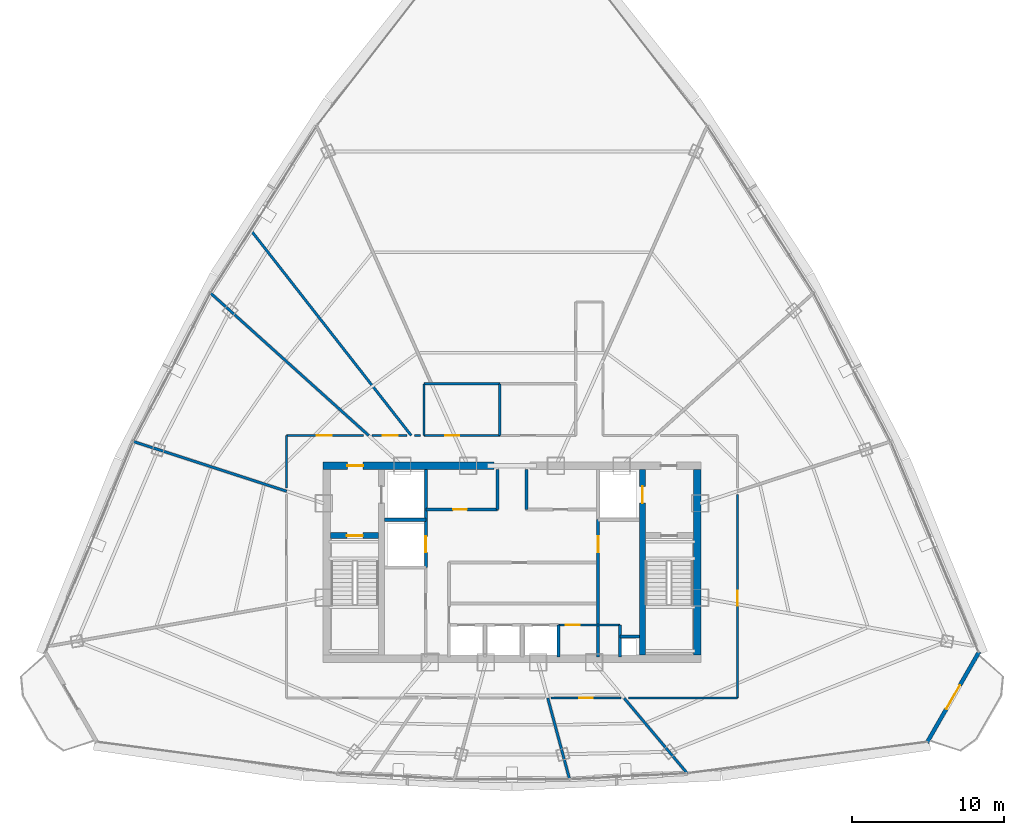
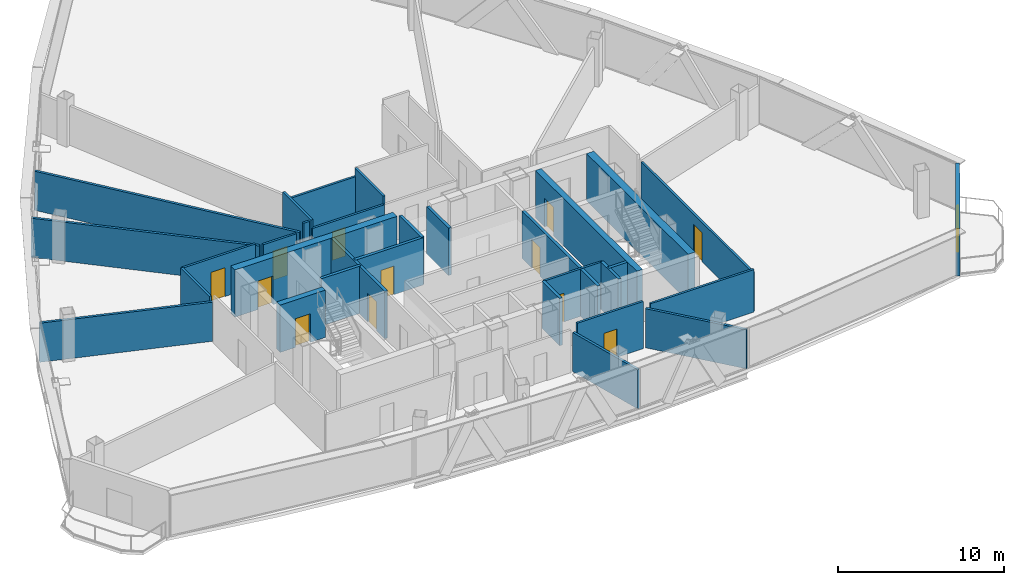
# One storey, part 29 of 33: 31 walls, 13 doors, 13 openings.
"""IFC4 building model written with IfcOpenShell, lengths in metres."""

from ifc_helpers import new_model, si_unit, direction, frame, frame_2d, origin, origin_with_axes, place, context, subcontext, project, spatial, rectangle, extrude, source, transform, mapped, material, layer, layer_set, type_object, element, fill, save


model = new_model("IFC4")

# Units and contexts
model_context = context("Model", 3, precision=1e-05, world=origin(), true_north=direction((0.0, 1.0)))
body_context = subcontext(model_context, "Body", "Model", "MODEL_VIEW")
ifc_project = project(units=[si_unit("LENGTHUNIT", "METRE"), si_unit("AREAUNIT", "SQUARE_METRE"), si_unit("VOLUMEUNIT", "CUBIC_METRE"), si_unit("PLANEANGLEUNIT", "RADIAN"), si_unit("MASSUNIT", "GRAM", prefix="KILO"), si_unit("THERMODYNAMICTEMPERATUREUNIT", "KELVIN"), si_unit("POWERUNIT", "WATT")], contexts=[model_context])

# Site, building, storey
site_placement = place(None, origin())
site = spatial("IfcSite", under=ifc_project, at=site_placement, CompositionType="ELEMENT")
building_placement = place(site_placement, origin())
building = spatial("IfcBuilding", under=site, at=building_placement, Name="Yunzhuo Pagoda Commons", CompositionType="ELEMENT")
storey_placement = place(building_placement, frame((0.0, 0.0, 307.39990234375)))
storey = spatial("IfcBuildingStorey", under=building, at=storey_placement, Name="L77", CompositionType="ELEMENT", Elevation=307.39990234375)

# Wall, opening, door
ifc_material_1 = material(Name="Precast concrete C40", Category="concrete")
ifc_layer_1 = layer(ifc_material_1, 0.260009765625)
ifc_layer_set_1 = layer_set([ifc_layer_1], Name="Precast concrete C40")
wall_type_1 = type_object("IfcWallType", Name="W-BAL1 Corner Balcony Threshold Wall 260", PredefinedType="STANDARD", material=ifc_layer_set_1)
wall_1_placement = place(storey_placement, frame((75.33935546875, 21.97021484375, 0.0), z_axis=(0.0, 0.0, 1.0), x_axis=(0.49793943781, 0.867211805889, 0.0)))
wall_1 = element("IfcWall", 1, at=wall_1_placement, inside=storey, type_object=wall_type_1, Name="L77 corner balcony wall V2", PredefinedType="STANDARD", context=body_context, shape_type="SweptSolid", body=[
    extrude(rectangle(XDim=6.903076171875, YDim=0.260009765625, at=frame_2d((3.45166015625, 0.0))), origin(), (0.0, 0.0, 1.0), 3.47021484375),
])
opening_1_placement = place(wall_1_placement, frame((2.551513671875, 0.0, 0.0)))
opening_1 = element("IfcOpeningElement", 2, at=opening_1_placement, cuts=wall_1, Name="Opening D-BAL1", PredefinedType="OPENING", context=body_context, shape_type="SweptSolid", body=[
    extrude(rectangle(XDim=1.800048828125, YDim=2.14990234375, at=frame_2d((0.89990234375, 1.074951171875))), frame((0.0, 0.14013671875, 0.0), z_axis=(0.0, -1.0, 0.0), x_axis=(1.0, 0.0, 0.0)), (0.0, 0.0, 1.0), 0.280029296875),
])
ifc_material_2 = material(Name="Anodized aluminium frame and tempered glazed leaf", Category="aluminium")
door_type_1 = type_object("IfcDoorType", Name="D-BAL1 Corner Balcony Sliding Glazed Door 1800x2150", OperationType="DOUBLE_DOOR_SLIDING", PredefinedType="DOOR", material=ifc_material_2)
shared_shape_1 = source(origin(), body_context, "Body", "SweptSolid", [
    extrude(rectangle(XDim=1.800048828125, YDim=2.14990234375, at=frame_2d((0.89990234375, 1.074951171875))), frame((0.0, 0.02490234375, 0.0), z_axis=(0.0, -1.0, 0.0), x_axis=(1.0, 0.0, 0.0)), (0.0, 0.0, 1.0), 0.050048828125),
])
door_1_placement = place(opening_1_placement, origin_with_axes())
door_1 = element("IfcDoor", 3, at=door_1_placement, inside=storey, type_object=door_type_1, Name="L77 corner balcony sliding door V2", OperationType="DOUBLE_DOOR_SLIDING", OverallHeight=2.14990234375, OverallWidth=1.800048828125, PredefinedType="DOOR", context=body_context, shape_type="MappedRepresentation", body=[
    mapped(shared_shape_1, transform((0.0, 0.0, 0.0), scale=1.0)),
])
fill(opening_1, door_1)

ifc_material_3 = material(Name="Concrete C50", Category="concrete")
ifc_layer_2 = layer(ifc_material_3, 0.5)
ifc_layer_set_2 = layer_set([ifc_layer_2], Name="Concrete C50")
wall_type_2 = type_object("IfcWallType", Name="W-C03 Upper Core Shear Wall 500", PredefinedType="SHEAR", material=ifc_layer_set_2)
wall_2_placement = place(storey_placement, frame((35.550048828125, 40.199951171875, 0.0), z_axis=(0.0, 0.0, 1.0), x_axis=(1.0, 0.0, 0.0)))
wall_2 = element("IfcWall", 4, at=wall_2_placement, inside=storey, type_object=wall_type_2, Name="L77 core shear wall NW", PredefinedType="SHEAR", context=body_context, shape_type="SweptSolid", body=[
    extrude(rectangle(XDim=11.25, YDim=0.5, at=frame_2d((5.625, 0.0))), origin(), (0.0, 0.0, 1.0), 3.47021484375),
])
opening_2_placement = place(wall_2_placement, frame((1.60009765625, 0.0, 0.0)))
opening_2 = element("IfcOpeningElement", 5, at=opening_2_placement, cuts=wall_2, Name="Opening D-02", PredefinedType="OPENING", context=body_context, shape_type="SweptSolid", body=[
    extrude(rectangle(XDim=1.050048828125, YDim=2.10009765625, at=frame_2d((0.52490234375, 1.050048828125))), frame((0.0, 0.260009765625, 0.0), z_axis=(0.0, -1.0, 0.0), x_axis=(1.0, 0.0, 0.0)), (0.0, 0.0, 1.0), 0.52001953125),
])
ifc_material_4 = material(Name="Galvanized fire-resisting metal leaf")
door_type_2 = type_object("IfcDoorType", Name="D-02 Firefighting Lobby & Refuge Fire Door 1050x2100", OperationType="NOTDEFINED", PredefinedType="DOOR", material=ifc_material_4)
shared_shape_2 = source(origin(), body_context, "Body", "SweptSolid", [
    extrude(rectangle(XDim=1.050048828125, YDim=2.10009765625, at=frame_2d((0.52490234375, 1.050048828125))), frame((0.0, 0.02490234375, 0.0), z_axis=(0.0, -1.0, 0.0), x_axis=(1.0, 0.0, 0.0)), (0.0, 0.0, 1.0), 0.050048828125),
])
door_2_placement = place(opening_2_placement, frame((1.050048828125, 0.0, 0.0), z_axis=(0.0, 0.0, 1.0), x_axis=(-1.0, 0.0, 0.0)))
door_2 = element("IfcDoor", 6, at=door_2_placement, inside=storey, type_object=door_type_2, Name="L77 Firefighting Lobby 1 fire door", OperationType="SINGLE_SWING_LEFT", OverallHeight=2.10009765625, OverallWidth=1.050048828125, PredefinedType="DOOR", context=body_context, shape_type="MappedRepresentation", body=[
    mapped(shared_shape_2, transform((0.0, 0.0, 0.0), scale=1.0)),
])
fill(opening_2, door_2)

# Wall
wall_3_placement = place(storey_placement, frame((60.199951171875, 27.75, 0.0), z_axis=(0.0, 0.0, 1.0), x_axis=(0.0, 1.0, 0.0)))
element("IfcWall", 7, at=wall_3_placement, inside=storey, type_object=wall_type_2, Name="L77 core shear wall E", PredefinedType="SHEAR", context=body_context, shape_type="SweptSolid", body=[
    extrude(rectangle(XDim=12.199951171875, YDim=0.5, at=frame_2d((6.10009765625, 0.0))), origin(), (0.0, 0.0, 1.0), 3.47021484375),
])

# Wall, opening, door
ifc_material_5 = material(Name="Gypsum plasterboard on acoustic stud")
ifc_layer_3 = layer(ifc_material_5, 0.14990234375)
ifc_layer_set_3 = layer_set([ifc_layer_3], Name="Gypsum plasterboard on acoustic stud")
wall_type_3 = type_object("IfcWallType", Name="W-COR3 High-Zone Rated Corridor Wall 150", PredefinedType="PARTITIONING", material=ifc_layer_set_3)
wall_4_placement = place(storey_placement, frame((51.050048828125, 29.719970703125, 0.0), z_axis=(0.0, 0.0, 1.0), x_axis=(1.0, 0.0, 0.0)))
wall_4 = element("IfcWall", 8, at=wall_4_placement, inside=storey, type_object=wall_type_3, Name="L77 interior wall IW-L77-CSES", PredefinedType="PARTITIONING", context=body_context, shape_type="SweptSolid", body=[
    extrude(rectangle(XDim=4.070068359375, YDim=0.14990234375, at=frame_2d((2.03515625, 0.0))), origin(), (0.0, 0.0, 1.0), 3.47021484375),
])
opening_3_placement = place(wall_4_placement, frame((0.5, 0.0, 0.0)))
opening_3 = element("IfcOpeningElement", 9, at=opening_3_placement, cuts=wall_4, Name="Opening D-03", PredefinedType="OPENING", context=body_context, shape_type="SweptSolid", body=[
    extrude(rectangle(XDim=0.89990234375, YDim=2.10009765625, at=frame_2d((0.449951171875, 1.050048828125))), frame((0.0, 0.0849609375, 0.0), z_axis=(0.0, -1.0, 0.0), x_axis=(1.0, 0.0, 0.0)), (0.0, 0.0, 1.0), 0.169921875),
])
door_type_3 = type_object("IfcDoorType", Name="D-03 Core Service Fire Door 900x2100", OperationType="NOTDEFINED", PredefinedType="DOOR", material=ifc_material_4)
shared_shape_3 = source(origin(), body_context, "Body", "SweptSolid", [
    extrude(rectangle(XDim=0.89990234375, YDim=2.10009765625, at=frame_2d((0.449951171875, 1.050048828125))), frame((0.0, 0.02490234375, 0.0), z_axis=(0.0, -1.0, 0.0), x_axis=(1.0, 0.0, 0.0)), (0.0, 0.0, 1.0), 0.050048828125),
])
door_3_placement = place(opening_3_placement, origin_with_axes())
door_3 = element("IfcDoor", 10, at=door_3_placement, inside=storey, type_object=door_type_3, Name="L77 cleaner store door", OperationType="SINGLE_SWING_LEFT", OverallHeight=2.10009765625, OverallWidth=0.89990234375, PredefinedType="DOOR", context=body_context, shape_type="MappedRepresentation", body=[
    mapped(shared_shape_3, transform((0.0, 0.0, 0.0), scale=1.0)),
])
fill(opening_3, door_3)

wall_5_placement = place(storey_placement, frame((42.199951171875, 42.199951171875, 0.0), z_axis=(0.0, 0.0, 1.0), x_axis=(1.0, 0.0, 0.0)))
wall_5 = element("IfcWall", 11, at=wall_5_placement, inside=storey, type_object=wall_type_3, Name="L77 interior wall IW-L77-TFWS", PredefinedType="PARTITIONING", context=body_context, shape_type="SweptSolid", body=[
    extrude(rectangle(XDim=5.0, YDim=0.14990234375, at=frame_2d((2.5, 0.0))), origin(), (0.0, 0.0, 1.0), 2.8701171875),
])
opening_4_placement = place(wall_5_placement, frame((1.39990234375, 0.0, 0.0)))
opening_4 = element("IfcOpeningElement", 12, at=opening_4_placement, cuts=wall_5, Name="Opening D-04", PredefinedType="OPENING", context=body_context, shape_type="SweptSolid", body=[
    extrude(rectangle(XDim=0.919921875, YDim=2.10009765625, at=frame_2d((0.4599609375, 1.050048828125))), frame((0.0, 0.0849609375, 0.0), z_axis=(0.0, -1.0, 0.0), x_axis=(1.0, 0.0, 0.0)), (0.0, 0.0, 1.0), 0.169921875),
])
ifc_material_6 = material(Name="Powder-coated aluminium and timber acoustic leaf", Category="wood")
door_type_4 = type_object("IfcDoorType", Name="D-04 Bedroom & Study Interior Door 920x2100", OperationType="NOTDEFINED", PredefinedType="DOOR", material=ifc_material_6)
shared_shape_4 = source(origin(), body_context, "Body", "SweptSolid", [
    extrude(rectangle(XDim=0.919921875, YDim=2.10009765625, at=frame_2d((0.4599609375, 1.050048828125))), frame((0.0, 0.02490234375, 0.0), z_axis=(0.0, -1.0, 0.0), x_axis=(1.0, 0.0, 0.0)), (0.0, 0.0, 1.0), 0.050048828125),
])
door_4_placement = place(opening_4_placement, frame((0.919921875, 0.0, 0.0), z_axis=(0.0, 0.0, 1.0), x_axis=(-1.0, 0.0, 0.0)))
door_4 = element("IfcDoor", 13, at=door_4_placement, inside=storey, type_object=door_type_4, Name="L77 laundry door", OperationType="SINGLE_SWING_LEFT", OverallHeight=2.10009765625, OverallWidth=0.919921875, PredefinedType="DOOR", context=body_context, shape_type="MappedRepresentation", body=[
    mapped(shared_shape_4, transform((0.0, 0.0, 0.0), scale=1.0)),
])
fill(opening_4, door_4)

# Walls
wall_6_placement = place(storey_placement, frame((42.199951171875, 45.60009765625, 0.0), z_axis=(0.0, 0.0, 1.0), x_axis=(1.0, 0.0, 0.0)))
element("IfcWall", 14, at=wall_6_placement, inside=storey, type_object=wall_type_3, Name="L77 interior wall IW-L77-TFWN", PredefinedType="PARTITIONING", context=body_context, shape_type="SweptSolid", body=[
    extrude(rectangle(XDim=5.0, YDim=0.14990234375, at=frame_2d((2.5, 0.0))), origin(), (0.0, 0.0, 1.0), 2.8701171875),
])
for number, where, z_axis, x_axis, name in (
    (15, (42.199951171875, 42.199951171875, 0.0), (0.0, 0.0, 1.0), (0.0, 1.0, 0.0), "L77 interior wall IW-L77-TFWW"),
    (16, (47.199951171875, 42.199951171875, 0.0), (0.0, 0.0, 1.0), (0.0, 1.0, 0.0), "L77 interior wall IW-L77-TFEW"),
):
    element("IfcWall", number, at=place(storey_placement, frame(where, z_axis=z_axis, x_axis=x_axis)), inside=storey, type_object=wall_type_3, Name=name, PredefinedType="PARTITIONING", context=body_context, shape_type="SweptSolid", body=[
        extrude(rectangle(XDim=3.400146484375, YDim=0.14990234375, at=frame_2d((1.7001953125, 0.0))), origin(), (0.0, 0.0, 1.0), 3.47021484375),
    ])
wall_7_placement = place(storey_placement, frame((33.14990234375, 38.75634765625, 0.0), z_axis=(0.0, 0.0, 1.0), x_axis=(0.0, 1.0, 0.0)))
element("IfcWall", 17, at=wall_7_placement, inside=storey, type_object=wall_type_3, Name="L77 interior wall IW-L77-CWL03", PredefinedType="PARTITIONING", context=body_context, shape_type="SweptSolid", body=[
    extrude(rectangle(XDim=3.443603515625, YDim=0.14990234375, at=frame_2d((1.7216796875, 0.0))), origin(), (0.0, 0.0, 1.0), 3.1201171875),
])

# Wall, opening, door
wall_8_placement = place(storey_placement, frame((33.14990234375, 42.199951171875, 0.0), z_axis=(0.0, 0.0, 1.0), x_axis=(1.0, 0.0, 0.0)))
wall_8 = element("IfcWall", 18, at=wall_8_placement, inside=storey, type_object=wall_type_3, Name="L77 interior wall IW-L77-CWL04", PredefinedType="PARTITIONING", context=body_context, shape_type="SweptSolid", body=[
    extrude(rectangle(XDim=5.0810546875, YDim=0.14990234375, at=frame_2d((2.54052734375, 0.0))), origin(), (0.0, 0.0, 1.0), 3.1201171875),
])
opening_5_placement = place(wall_8_placement, frame((2.0, 0.0, 0.0)))
opening_5 = element("IfcOpeningElement", 19, at=opening_5_placement, cuts=wall_8, Name="Opening D-08", PredefinedType="OPENING", context=body_context, shape_type="SweptSolid", body=[
    extrude(rectangle(XDim=0.97998046875, YDim=2.1201171875, at=frame_2d((0.489990234375, 1.06005859375))), frame((0.0, 0.0849609375, 0.0), z_axis=(0.0, -1.0, 0.0), x_axis=(1.0, 0.0, 0.0)), (0.0, 0.0, 1.0), 0.169921875),
])
door_type_5 = type_object("IfcDoorType", Name="D-08 High-Zone Suite Entrance Fire Door 980x2120", OperationType="NOTDEFINED", PredefinedType="DOOR", material=ifc_material_4)
shared_shape_5 = source(origin(), body_context, "Body", "SweptSolid", [
    extrude(rectangle(XDim=0.97998046875, YDim=2.1201171875, at=frame_2d((0.489990234375, 1.06005859375))), frame((0.0, 0.02490234375, 0.0), z_axis=(0.0, -1.0, 0.0), x_axis=(1.0, 0.0, 0.0)), (0.0, 0.0, 1.0), 0.050048828125),
])
door_5_placement = place(opening_5_placement, origin_with_axes())
door_5 = element("IfcDoor", 20, at=door_5_placement, inside=storey, type_object=door_type_5, Name="L77 unit 06 entrance door", OperationType="SINGLE_SWING_RIGHT", OverallHeight=2.1201171875, OverallWidth=0.97998046875, PredefinedType="DOOR", context=body_context, shape_type="MappedRepresentation", body=[
    mapped(shared_shape_5, transform((0.0, 0.0, 0.0), scale=1.0)),
])
fill(opening_5, door_5)

wall_9_placement = place(storey_placement, frame((38.779541015625, 42.199951171875, 0.0), z_axis=(0.0, 0.0, 1.0), x_axis=(1.0, 0.0, 0.0)))
wall_9 = element("IfcWall", 21, at=wall_9_placement, inside=storey, type_object=wall_type_3, Name="L77 interior wall IW-L77-CWL05", PredefinedType="PARTITIONING", context=body_context, shape_type="SweptSolid", body=[
    extrude(rectangle(XDim=2.30029296875, YDim=0.14990234375, at=frame_2d((1.150146484375, 0.0))), origin(), (0.0, 0.0, 1.0), 2.8701171875),
])
opening_6_placement = place(wall_9_placement, frame((0.705078125, 0.0, 0.0)))
opening_6 = element("IfcOpeningElement", 22, at=opening_6_placement, cuts=wall_9, Name="Opening D-08", PredefinedType="OPENING", context=body_context, shape_type="SweptSolid", body=[
    extrude(rectangle(XDim=0.97998046875, YDim=2.1201171875, at=frame_2d((0.489990234375, 1.06005859375))), frame((0.0, 0.0849609375, 0.0), z_axis=(0.0, -1.0, 0.0), x_axis=(1.0, 0.0, 0.0)), (0.0, 0.0, 1.0), 0.169921875),
])
door_6_placement = place(opening_6_placement, origin_with_axes())
door_6 = element("IfcDoor", 23, at=door_6_placement, inside=storey, type_object=door_type_5, Name="L77 unit 05 entrance door", OperationType="SINGLE_SWING_LEFT", OverallHeight=2.1201171875, OverallWidth=0.97998046875, PredefinedType="DOOR", context=body_context, shape_type="MappedRepresentation", body=[
    mapped(shared_shape_5, transform((0.0, 0.0, 0.0), scale=1.0)),
])
fill(opening_6, door_6)

# Wall
wall_10_placement = place(storey_placement, frame((41.578857421875, 42.199951171875, 0.0), z_axis=(0.0, 0.0, 1.0), x_axis=(1.0, 0.0, 0.0)))
element("IfcWall", 24, at=wall_10_placement, inside=storey, type_object=wall_type_3, Name="L77 interior wall IW-L77-CWL06", PredefinedType="PARTITIONING", context=body_context, shape_type="SweptSolid", body=[
    extrude(rectangle(XDim=0.401123046875, YDim=0.14990234375, at=frame_2d((0.20068359375, 0.0))), origin(), (0.0, 0.0, 1.0), 3.47021484375),
])

# Wall, opening, door
wall_11_placement = place(storey_placement, frame((62.85009765625, 38.305419921875, 0.0), z_axis=(0.0, 0.0, 1.0), x_axis=(0.0, -1.0, 0.0)))
wall_11 = element("IfcWall", 25, at=wall_11_placement, inside=storey, type_object=wall_type_3, Name="L77 interior wall IW-L77-CWL14", PredefinedType="PARTITIONING", context=body_context, shape_type="SweptSolid", body=[
    extrude(rectangle(XDim=13.405517578125, YDim=0.14990234375, at=frame_2d((6.70263671875, 0.0))), origin(), (0.0, 0.0, 1.0), 2.8701171875),
])
opening_7_placement = place(wall_11_placement, frame((6.347900390625, 0.0, 0.0)))
opening_7 = element("IfcOpeningElement", 26, at=opening_7_placement, cuts=wall_11, Name="Opening D-08", PredefinedType="OPENING", context=body_context, shape_type="SweptSolid", body=[
    extrude(rectangle(XDim=0.97998046875, YDim=2.1201171875, at=frame_2d((0.489990234375, 1.06005859375))), frame((0.0, 0.0849609375, 0.0), z_axis=(0.0, -1.0, 0.0), x_axis=(1.0, 0.0, 0.0)), (0.0, 0.0, 1.0), 0.169921875),
])
door_7_placement = place(opening_7_placement, origin_with_axes())
door_7 = element("IfcDoor", 27, at=door_7_placement, inside=storey, type_object=door_type_5, Name="L77 Resident Co-Living Commons Hall door", OperationType="SINGLE_SWING_RIGHT", OverallHeight=2.1201171875, OverallWidth=0.97998046875, PredefinedType="DOOR", context=body_context, shape_type="MappedRepresentation", body=[
    mapped(shared_shape_5, transform((0.0, 0.0, 0.0), scale=1.0)),
])
fill(opening_7, door_7)

# Wall
wall_12_placement = place(storey_placement, frame((62.85009765625, 24.89990234375, 0.0), z_axis=(0.0, 0.0, 1.0), x_axis=(-1.0, 0.0, 0.0)))
element("IfcWall", 28, at=wall_12_placement, inside=storey, type_object=wall_type_3, Name="L77 interior wall IW-L77-CWL15", PredefinedType="PARTITIONING", context=body_context, shape_type="SweptSolid", body=[
    extrude(rectangle(XDim=7.1787109375, YDim=0.14990234375, at=frame_2d((3.58935546875, 0.0))), origin(), (0.0, 0.0, 1.0), 3.1201171875),
])

# Wall, opening, door
wall_13_placement = place(storey_placement, frame((55.164306640625, 24.89990234375, 0.0), z_axis=(0.0, 0.0, 1.0), x_axis=(-1.0, 0.0, 0.0)))
wall_13 = element("IfcWall", 29, at=wall_13_placement, inside=storey, type_object=wall_type_3, Name="L77 interior wall IW-L77-CWL16", PredefinedType="PARTITIONING", context=body_context, shape_type="SweptSolid", body=[
    extrude(rectangle(XDim=4.57861328125, YDim=0.14990234375, at=frame_2d((2.289306640625, 0.0))), origin(), (0.0, 0.0, 1.0), 3.47021484375),
])
opening_8_placement = place(wall_13_placement, frame((1.833251953125, 0.0, 0.0)))
opening_8 = element("IfcOpeningElement", 30, at=opening_8_placement, cuts=wall_13, Name="Opening D-12", PredefinedType="OPENING", context=body_context, shape_type="SweptSolid", body=[
    extrude(rectangle(XDim=0.89990234375, YDim=2.080078125, at=frame_2d((0.449951171875, 1.0400390625))), frame((0.0, 0.0849609375, 0.0), z_axis=(0.0, -1.0, 0.0), x_axis=(1.0, 0.0, 0.0)), (0.0, 0.0, 1.0), 0.169921875),
])
door_type_6 = type_object("IfcDoorType", Name="D-12 Quiet Study Interior Door 900x2080", OperationType="NOTDEFINED", PredefinedType="DOOR", material=ifc_material_6)
shared_shape_6 = source(origin(), body_context, "Body", "SweptSolid", [
    extrude(rectangle(XDim=0.89990234375, YDim=2.080078125, at=frame_2d((0.449951171875, 1.0400390625))), frame((0.0, 0.02490234375, 0.0), z_axis=(0.0, -1.0, 0.0), x_axis=(1.0, 0.0, 0.0)), (0.0, 0.0, 1.0), 0.050048828125),
])
door_8_placement = place(opening_8_placement, origin_with_axes())
door_8 = element("IfcDoor", 31, at=door_8_placement, inside=storey, type_object=door_type_6, Name="L77 study lounge 11 door", OperationType="SINGLE_SWING_LEFT", OverallHeight=2.080078125, OverallWidth=0.89990234375, PredefinedType="DOOR", context=body_context, shape_type="MappedRepresentation", body=[
    mapped(shared_shape_6, transform((0.0, 0.0, 0.0), scale=1.0)),
])
fill(opening_8, door_8)

# Walls
ifc_layer_4 = layer(ifc_material_5, 0.169921875)
ifc_layer_set_4 = layer_set([ifc_layer_4], Name="Gypsum plasterboard on acoustic stud")
wall_type_4 = type_object("IfcWallType", Name="W-PRT4 High-Zone Demising Wall 170", PredefinedType="PARTITIONING", material=ifc_layer_set_4)
wall_14_placement = place(storey_placement, frame((41.359130859375, 42.199951171875, 0.0), z_axis=(0.0, 0.0, 1.0), x_axis=(-0.615656448173, 0.788014681223, 0.0)))
element("IfcWall", 32, at=wall_14_placement, inside=storey, type_object=wall_type_4, Name="L77 interior wall IW-L77-RAD05", PredefinedType="PARTITIONING", context=body_context, shape_type="SweptSolid", body=[
    extrude(rectangle(XDim=17.1845703125, YDim=0.169921875, at=frame_2d((8.59228515625, 0.0))), origin(), (0.0, 0.0, 1.0), 2.8701171875),
])
wall_15_placement = place(storey_placement, frame((38.559814453125, 42.199951171875, 0.0), z_axis=(0.0, 0.0, 1.0), x_axis=(-0.74314439151, 0.669131088329, 0.0)))
element("IfcWall", 33, at=wall_15_placement, inside=storey, type_object=wall_type_4, Name="L77 interior wall IW-L77-RAD06", PredefinedType="PARTITIONING", context=body_context, shape_type="SweptSolid", body=[
    extrude(rectangle(XDim=14.025634765625, YDim=0.169921875, at=frame_2d((7.0126953125, 0.0))), origin(), (0.0, 0.0, 1.0), 2.8701171875),
])
wall_16_placement = place(storey_placement, frame((33.14990234375, 38.525146484375, 0.0), z_axis=(0.0, 0.0, 1.0), x_axis=(-0.951060589798, 0.309004457141, 0.0)))
element("IfcWall", 34, at=wall_16_placement, inside=storey, type_object=wall_type_4, Name="L77 interior wall IW-L77-RAD07", PredefinedType="PARTITIONING", context=body_context, shape_type="SweptSolid", body=[
    extrude(rectangle(XDim=10.61962890625, YDim=0.169921875, at=frame_2d((5.309814453125, 0.0))), origin(), (0.0, 0.0, 1.0), 2.8701171875),
])
wall_17_placement = place(storey_placement, frame((50.35791015625, 24.89990234375, 0.0), z_axis=(0.0, 0.0, 1.0), x_axis=(0.258813875707, -0.96592721141, 0.0)))
element("IfcWall", 35, at=wall_17_placement, inside=storey, type_object=wall_type_4, Name="L77 interior wall IW-L77-RAD11", PredefinedType="PARTITIONING", context=body_context, shape_type="SweptSolid", body=[
    extrude(rectangle(XDim=5.54296875, YDim=0.169921875, at=frame_2d((2.771484375, 0.0))), origin(), (0.0, 0.0, 1.0), 2.8701171875),
])
wall_18_placement = place(storey_placement, frame((55.384033203125, 24.89990234375, 0.0), z_axis=(0.0, 0.0, 1.0), x_axis=(0.642794522615, -0.76603864243, 0.0)))
element("IfcWall", 36, at=wall_18_placement, inside=storey, type_object=wall_type_4, Name="L77 interior wall IW-L77-RAD12", PredefinedType="PARTITIONING", context=body_context, shape_type="SweptSolid", body=[
    extrude(rectangle(XDim=6.4677734375, YDim=0.169921875, at=frame_2d((3.23388671875, 0.0))), origin(), (0.0, 0.0, 1.0), 2.8701171875),
])

# Wall, opening, door
ifc_material_7 = material(Name="Concrete C60", Category="concrete")
ifc_layer_5 = layer(ifc_material_7, 0.39990234375)
ifc_layer_set_5 = layer_set([ifc_layer_5], Name="Concrete C60")
wall_type_5 = type_object("IfcWallType", Name="W-S01 Internal Core Shear Web 400", PredefinedType="SHEAR", material=ifc_layer_set_5)
wall_19_placement = place(storey_placement, frame((56.60009765625, 27.75, 0.0), z_axis=(0.0, 0.0, 1.0), x_axis=(0.0, 1.0, 0.0)))
wall_19 = element("IfcWall", 37, at=wall_19_placement, inside=storey, type_object=wall_type_5, Name="L77 core shear wall WEBE", PredefinedType="SHEAR", context=body_context, shape_type="SweptSolid", body=[
    extrude(rectangle(XDim=12.199951171875, YDim=0.39990234375, at=frame_2d((6.10009765625, 0.0))), origin(), (0.0, 0.0, 1.0), 3.47021484375),
])
opening_9_placement = place(wall_19_placement, frame((10.0, 0.0, 0.0)))
opening_9 = element("IfcOpeningElement", 38, at=opening_9_placement, cuts=wall_19, Name="Opening LD-01", PredefinedType="OPENING", context=body_context, shape_type="SweptSolid", body=[
    extrude(rectangle(XDim=1.10009765625, YDim=2.10009765625, at=frame_2d((0.550048828125, 1.050048828125))), frame((0.0, 0.2099609375, 0.0), z_axis=(0.0, -1.0, 0.0), x_axis=(1.0, 0.0, 0.0)), (0.0, 0.0, 1.0), 0.419921875),
])
door_type_7 = type_object("IfcDoorType", Name="LD-01 Firefighting Lift Landing Door 1100x2100", OperationType="DOUBLE_DOOR_SLIDING", PredefinedType="DOOR", material=ifc_material_4)
shared_shape_7 = source(origin(), body_context, "Body", "SweptSolid", [
    extrude(rectangle(XDim=1.10009765625, YDim=2.10009765625, at=frame_2d((0.550048828125, 1.050048828125))), frame((0.0, 0.02490234375, 0.0), z_axis=(0.0, -1.0, 0.0), x_axis=(1.0, 0.0, 0.0)), (0.0, 0.0, 1.0), 0.050048828125),
])
door_9_placement = place(opening_9_placement, origin_with_axes())
door_9 = element("IfcDoor", 39, at=door_9_placement, inside=storey, type_object=door_type_7, Name="L77 Firefighting lift FL-2 landing door", OperationType="DOUBLE_DOOR_SLIDING", OverallHeight=2.10009765625, OverallWidth=1.10009765625, PredefinedType="DOOR", context=body_context, shape_type="MappedRepresentation", body=[
    mapped(shared_shape_7, transform((0.0, 0.0, 0.0), scale=1.0)),
])
fill(opening_9, door_9)

wall_20_placement = place(storey_placement, frame((36.050048828125, 35.60009765625, 0.0), z_axis=(0.0, 0.0, 1.0), x_axis=(1.0, 0.0, 0.0)))
wall_20 = element("IfcWall", 40, at=wall_20_placement, inside=storey, type_object=wall_type_5, Name="L77 core shear wall STW", PredefinedType="SHEAR", context=body_context, shape_type="SweptSolid", body=[
    extrude(rectangle(XDim=3.14990234375, YDim=0.39990234375, at=frame_2d((1.574951171875, 0.0))), origin(), (0.0, 0.0, 1.0), 3.47021484375),
])
opening_10_placement = place(wall_20_placement, frame((1.070068359375, 0.0, 0.0)))
opening_10 = element("IfcOpeningElement", 41, at=opening_10_placement, cuts=wall_20, Name="Opening D-01", PredefinedType="OPENING", context=body_context, shape_type="SweptSolid", body=[
    extrude(rectangle(XDim=1.050048828125, YDim=2.10009765625, at=frame_2d((0.52490234375, 1.050048828125))), frame((0.0, 0.2099609375, 0.0), z_axis=(0.0, -1.0, 0.0), x_axis=(1.0, 0.0, 0.0)), (0.0, 0.0, 1.0), 0.419921875),
])
door_type_8 = type_object("IfcDoorType", Name="D-01 Smokeproof Stair Fire Door 1050x2100", OperationType="NOTDEFINED", PredefinedType="DOOR", material=ifc_material_4)
door_10_placement = place(opening_10_placement, frame((1.050048828125, 0.0, 0.0), z_axis=(0.0, 0.0, 1.0), x_axis=(-1.0, 0.0, 0.0)))
door_10 = element("IfcDoor", 42, at=door_10_placement, inside=storey, type_object=door_type_8, Name="L77 Stair ST1 fire door", OperationType="SINGLE_SWING_LEFT", OverallHeight=2.10009765625, OverallWidth=1.050048828125, PredefinedType="DOOR", context=body_context, shape_type="MappedRepresentation", body=[
    mapped(shared_shape_2, transform((0.0, 0.0, 0.0), scale=1.0)),
])
fill(opening_10, door_10)

ifc_material_8 = material(Name="Concrete C40", Category="concrete")
ifc_layer_6 = layer(ifc_material_8, 0.199951171875)
ifc_layer_set_6 = layer_set([ifc_layer_6], Name="Concrete C40")
wall_type_6 = type_object("IfcWallType", Name="W-SHF Shaft & Stair Enclosure Wall 200", PredefinedType="SOLIDWALL", material=ifc_layer_set_6)
wall_21_placement = place(storey_placement, frame((42.320068359375, 33.5, 0.0), z_axis=(0.0, 0.0, 1.0), x_axis=(0.0, 1.0, 0.0)))
wall_21 = element("IfcWall", 43, at=wall_21_placement, inside=storey, type_object=wall_type_6, Name="L77 interior wall IW-L77-FL1E", PredefinedType="SOLIDWALL", context=body_context, shape_type="SweptSolid", body=[
    extrude(rectangle(XDim=6.449951171875, YDim=0.199951171875, at=frame_2d((3.22509765625, 0.0))), origin(), (0.0, 0.0, 1.0), 3.47021484375),
])
opening_11_placement = place(wall_21_placement, frame((1.0, 0.0, 0.0)))
opening_11 = element("IfcOpeningElement", 44, at=opening_11_placement, cuts=wall_21, Name="Opening LD-02", PredefinedType="OPENING", context=body_context, shape_type="SweptSolid", body=[
    extrude(rectangle(XDim=1.050048828125, YDim=2.10009765625, at=frame_2d((0.52490234375, 1.050048828125))), frame((0.0, 0.10986328125, 0.0), z_axis=(0.0, -1.0, 0.0), x_axis=(1.0, 0.0, 0.0)), (0.0, 0.0, 1.0), 0.219970703125),
])
door_type_9 = type_object("IfcDoorType", Name="LD-02 Passenger Lift Landing Door 1050x2100", OperationType="DOUBLE_DOOR_SLIDING", PredefinedType="DOOR", material=ifc_material_4)
door_11_placement = place(opening_11_placement, origin_with_axes())
door_11 = element("IfcDoor", 45, at=door_11_placement, inside=storey, type_object=door_type_9, Name="L77 Service lift SL-1 landing door", OperationType="DOUBLE_DOOR_SLIDING", OverallHeight=2.10009765625, OverallWidth=1.050048828125, PredefinedType="DOOR", context=body_context, shape_type="MappedRepresentation", body=[
    mapped(shared_shape_2, transform((0.0, 0.0, 0.0), scale=1.0)),
])
fill(opening_11, door_11)

# Wall
wall_22_placement = place(storey_placement, frame((39.60009765625, 36.64990234375, 0.0), z_axis=(0.0, 0.0, 1.0), x_axis=(1.0, 0.0, 0.0)))
element("IfcWall", 46, at=wall_22_placement, inside=storey, type_object=wall_type_6, Name="L77 interior wall IW-L77-FL1S", PredefinedType="SOLIDWALL", context=body_context, shape_type="SweptSolid", body=[
    extrude(rectangle(XDim=2.719970703125, YDim=0.199951171875, at=frame_2d((1.35986328125, 0.0))), origin(), (0.0, 0.0, 1.0), 3.47021484375),
])

# Wall, opening, door
wall_23_placement = place(storey_placement, frame((42.320068359375, 37.320068359375, 0.0), z_axis=(0.0, 0.0, 1.0), x_axis=(1.0, 0.0, 0.0)))
wall_23 = element("IfcWall", 47, at=wall_23_placement, inside=storey, type_object=wall_type_6, Name="L77 interior wall IW-L77-LBNW", PredefinedType="SOLIDWALL", context=body_context, shape_type="SweptSolid", body=[
    extrude(rectangle(XDim=4.72998046875, YDim=0.199951171875, at=frame_2d((2.364990234375, 0.0))), origin(), (0.0, 0.0, 1.0), 3.47021484375),
])
opening_12_placement = place(wall_23_placement, frame((1.800048828125, 0.0, 0.0)))
opening_12 = element("IfcOpeningElement", 48, at=opening_12_placement, cuts=wall_23, Name="Opening D-03", PredefinedType="OPENING", context=body_context, shape_type="SweptSolid", body=[
    extrude(rectangle(XDim=0.89990234375, YDim=2.10009765625, at=frame_2d((0.449951171875, 1.050048828125))), frame((0.0, 0.10986328125, 0.0), z_axis=(0.0, -1.0, 0.0), x_axis=(1.0, 0.0, 0.0)), (0.0, 0.0, 1.0), 0.219970703125),
])
door_12_placement = place(opening_12_placement, frame((0.89990234375, 0.0, 0.0), z_axis=(0.0, 0.0, 1.0), x_axis=(-1.0, 0.0, 0.0)))
door_12 = element("IfcDoor", 49, at=door_12_placement, inside=storey, type_object=door_type_3, Name="L77 core west store door", OperationType="SINGLE_SWING_LEFT", OverallHeight=2.10009765625, OverallWidth=0.89990234375, PredefinedType="DOOR", context=body_context, shape_type="MappedRepresentation", body=[
    mapped(shared_shape_3, transform((0.0, 0.0, 0.0), scale=1.0)),
])
fill(opening_12, door_12)

# Walls
for number, where, z_axis, x_axis, name in (
    (50, (47.050048828125, 37.320068359375, 0.0), (0.0, 0.0, 1.0), (0.0, 1.0, 0.0), "L77 interior wall IW-L77-THRW"),
    (51, (48.949951171875, 37.320068359375, 0.0), (0.0, 0.0, 1.0), (0.0, 1.0, 0.0), "L77 interior wall IW-L77-THRE"),
):
    element("IfcWall", number, at=place(storey_placement, frame(where, z_axis=z_axis, x_axis=x_axis)), inside=storey, type_object=wall_type_6, Name=name, PredefinedType="SOLIDWALL", context=body_context, shape_type="SweptSolid", body=[
        extrude(rectangle(XDim=2.6298828125, YDim=0.199951171875, at=frame_2d((1.31494140625, 0.0))), origin(), (0.0, 0.0, 1.0), 3.47021484375),
    ])

# Wall, opening, door
wall_24_placement = place(storey_placement, frame((53.679931640625, 27.60009765625, 0.0), z_axis=(0.0, 0.0, 1.0), x_axis=(0.0, 1.0, 0.0)))
wall_24 = element("IfcWall", 52, at=wall_24_placement, inside=storey, type_object=wall_type_6, Name="L77 interior wall IW-L77-PLME", PredefinedType="SOLIDWALL", context=body_context, shape_type="SweptSolid", body=[
    extrude(rectangle(XDim=9.0498046875, YDim=0.199951171875, at=frame_2d((4.52490234375, 0.0))), origin(), (0.0, 0.0, 1.0), 3.47021484375),
])
opening_13_placement = place(wall_24_placement, frame((6.89990234375, 0.0, 0.0)))
opening_13 = element("IfcOpeningElement", 53, at=opening_13_placement, cuts=wall_24, Name="Opening D-02", PredefinedType="OPENING", context=body_context, shape_type="SweptSolid", body=[
    extrude(rectangle(XDim=1.050048828125, YDim=2.10009765625, at=frame_2d((0.52490234375, 1.050048828125))), frame((0.0, 0.10986328125, 0.0), z_axis=(0.0, -1.0, 0.0), x_axis=(1.0, 0.0, 0.0)), (0.0, 0.0, 1.0), 0.219970703125),
])
door_13_placement = place(opening_13_placement, origin_with_axes())
door_13 = element("IfcDoor", 54, at=door_13_placement, inside=storey, type_object=door_type_2, Name="L77 High-bank lift hall door", OperationType="SINGLE_SWING_RIGHT", OverallHeight=2.10009765625, OverallWidth=1.050048828125, PredefinedType="DOOR", context=body_context, shape_type="MappedRepresentation", body=[
    mapped(shared_shape_2, transform((0.0, 0.0, 0.0), scale=1.0)),
])
fill(opening_13, door_13)

# Walls
for number, where, z_axis, x_axis, name in (
    (55, (51.050048828125, 27.60009765625, 0.0), (0.0, 0.0, 1.0), (0.0, 1.0, 0.0), "L77 interior wall IW-L77-PLHE"),
    (56, (55.1201171875, 27.60009765625, 0.0), (0.0, 0.0, 1.0), (0.0, 1.0, 0.0), "L77 interior wall IW-L77-RSHFW"),
):
    element("IfcWall", number, at=place(storey_placement, frame(where, z_axis=z_axis, x_axis=x_axis)), inside=storey, type_object=wall_type_6, Name=name, PredefinedType="SOLIDWALL", context=body_context, shape_type="SweptSolid", body=[
        extrude(rectangle(XDim=2.119873046875, YDim=0.199951171875, at=frame_2d((1.06005859375, 0.0))), origin(), (0.0, 0.0, 1.0), 3.47021484375),
    ])
wall_25_placement = place(storey_placement, frame((55.1201171875, 28.949951171875, 0.0), z_axis=(0.0, 0.0, 1.0), x_axis=(1.0, 0.0, 0.0)))
element("IfcWall", 57, at=wall_25_placement, inside=storey, type_object=wall_type_6, Name="L77 interior wall IW-L77-RSHFN", PredefinedType="SOLIDWALL", context=body_context, shape_type="SweptSolid", body=[
    extrude(rectangle(XDim=1.27978515625, YDim=0.199951171875, at=frame_2d((0.639892578125, 0.0))), origin(), (0.0, 0.0, 1.0), 3.47021484375),
])

save(model, "model.ifc")
